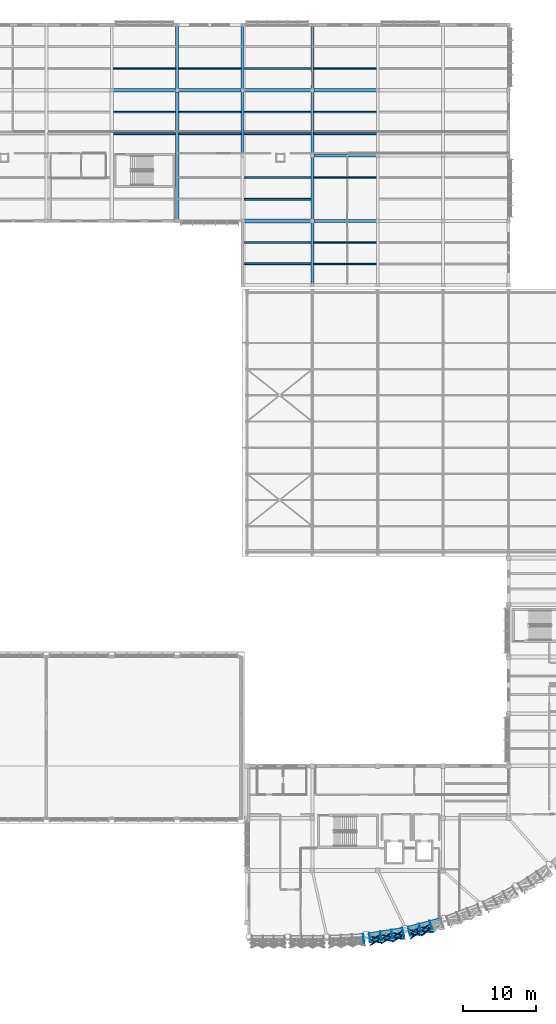
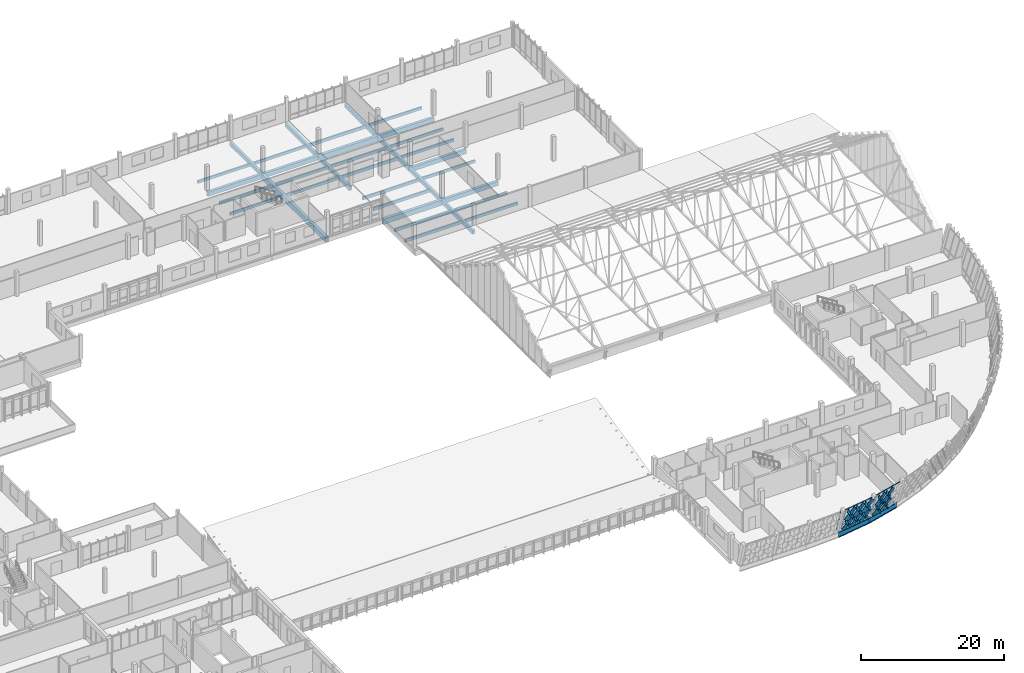
# One storey, part 88 of 182: 36 beams, 34 members, 3 elements without a shape of their own.
"""IFC4 building model written with IfcOpenShell, lengths in metres."""

import ifcopenshell
import ifcopenshell.guid

model = None  # the IFC model being written
_history = None  # IfcOwnerHistory: only IFC2X3 demands one
_inside = {}  # id of a spatial element -> (the spatial element, [elements in it])
_under = {}  # id of a project, library or spatial element -> (it, [spatial elements below it])
_declared = {}  # id of a project -> (the project, [libraries it declares])
_typed = {}  # id of a type object -> (the type object, [elements of that type])
_made_of = {}  # id of a material, layer set ... -> (it, [elements and type objects made of it])


def new_model(schema):
    """Start an empty IFC model of exactly this schema.

    Asked for "IFC4X3", IfcOpenShell would pick the latest addendum, in which some entities
    have other attributes; the version numbers below select the first issue.
    IFC2X3 requires an IfcOwnerHistory on every rooted entity: one is made here for all.
    """
    global model, _history
    if schema == "IFC4X3":
        model = ifcopenshell.file(schema_version=(4, 3, 0, 0))
    else:
        model = ifcopenshell.file(schema=schema)
    _inside.clear()
    _under.clear()
    _declared.clear()
    _typed.clear()
    _made_of.clear()
    _history = None
    if model.schema == "IFC2X3":
        org = make("IfcOrganization", Name="unknown")
        user = make(
            "IfcPersonAndOrganization",
            ThePerson=make("IfcPerson", FamilyName="unknown"),
            TheOrganization=org,
        )
        app = make(
            "IfcApplication",
            ApplicationDeveloper=org,
            Version="unknown",
            ApplicationFullName="unknown",
            ApplicationIdentifier="unknown",
        )
        _history = make(
            "IfcOwnerHistory",
            OwningUser=user,
            OwningApplication=app,
            ChangeAction="ADDED",
            CreationDate=0,
        )
    return model


def make(cls, **values):
    """One entity of the class cls with the attributes given. An attribute that is None is left unset."""
    return model.create_entity(
        cls, **{name: value for name, value in values.items() if value is not None}
    )


def rooted(cls, **values):
    """An entity with a GlobalId (a new one), such as an element, a storey or a relation."""
    return make(cls, GlobalId=ifcopenshell.guid.new(), OwnerHistory=_history, **values)


def si_unit(unit_type, name, prefix=None):
    """IfcSIUnit, for example si_unit("LENGTHUNIT", "METRE", prefix="MILLI")."""
    return make("IfcSIUnit", UnitType=unit_type, Prefix=prefix, Name=name)


def assignment(units):
    """IfcUnitAssignment: the units of a project."""
    return None if units is None else make("IfcUnitAssignment", Units=units)


def point(xyz):
    """IfcCartesianPoint."""
    return None if xyz is None else make("IfcCartesianPoint", Coordinates=xyz)


def direction(xyz):
    """IfcDirection."""
    return None if xyz is None else make("IfcDirection", DirectionRatios=xyz)


def frame(location, z_axis=None, x_axis=None):
    """IfcAxis2Placement3D, a coordinate frame: its origin and axes. An axis left out is left unset."""
    return make(
        "IfcAxis2Placement3D",
        Location=point(location),
        Axis=direction(z_axis),
        RefDirection=direction(x_axis),
    )


def frame_2d(location, x_axis=None):
    """IfcAxis2Placement2D, a coordinate frame in the plane: its origin and x axis."""
    return make(
        "IfcAxis2Placement2D", Location=point(location), RefDirection=direction(x_axis)
    )


def origin():
    """The frame at (0, 0, 0) with its axes left unset."""
    return frame((0.0, 0.0, 0.0))


def origin_2d():
    """The frame at (0, 0) in the plane with its x axis left unset."""
    return frame_2d((0.0, 0.0))


def place(relative_to, where):
    """IfcLocalPlacement: puts the frame where relative to a parent placement (None: the world)."""
    return make(
        "IfcLocalPlacement", PlacementRelTo=relative_to, RelativePlacement=where
    )


def context(
    kind, dimensions, precision=None, world=None, true_north=None, identifier=None
):
    """IfcGeometricRepresentationContext, for example the 3D "Model" context."""
    return make(
        "IfcGeometricRepresentationContext",
        ContextIdentifier=identifier,
        ContextType=kind,
        CoordinateSpaceDimension=dimensions,
        Precision=precision,
        WorldCoordinateSystem=world,
        TrueNorth=true_north,
    )


def subcontext(parent, identifier, kind, view, scale=None):
    """IfcGeometricRepresentationSubContext, for example "Body" below "Model"."""
    return make(
        "IfcGeometricRepresentationSubContext",
        ContextIdentifier=identifier,
        ContextType=kind,
        ParentContext=parent,
        TargetScale=scale,
        TargetView=view,
    )


def project(units=None, contexts=None):
    """IfcProject with its units and contexts."""
    return rooted(
        "IfcProject",
        Name="project",
        RepresentationContexts=contexts,
        UnitsInContext=assignment(units),
    )


def spatial(cls, under=None, at=None, **own):
    """A site, building, storey or space (cls), placed at a placement, below another one or the project."""
    s = rooted(cls, ObjectPlacement=at, **own)
    if under is not None:
        _under.setdefault(under.id(), (under, []))[1].append(s)
    return s


def profile(cls, at=None, kind="AREA", **sizes):
    """A parametric profile (cls). Its sizes go by their IFC names, for example OverallWidth=200.0."""
    return make(cls, ProfileType=kind, Position=at, **sizes)


def rectangle(**sizes):
    """IfcRectangleProfileDef."""
    return profile("IfcRectangleProfileDef", **sizes)


def hollow_rectangle(**sizes):
    """IfcRectangleHollowProfileDef."""
    return profile("IfcRectangleHollowProfileDef", **sizes)


def i_section(**sizes):
    """IfcIShapeProfileDef."""
    return profile("IfcIShapeProfileDef", **sizes)


def extrude(swept, where, along, depth):
    """IfcExtrudedAreaSolid: the profile swept, set in the frame where, extruded along a direction by depth."""
    return make(
        "IfcExtrudedAreaSolid",
        SweptArea=swept,
        Position=where,
        ExtrudedDirection=direction(along),
        Depth=depth,
    )


def shape(context_of_items, identifier, shape_type, items):
    """IfcShapeRepresentation: the items that make up one representation, for example the "Body"."""
    return make(
        "IfcShapeRepresentation",
        ContextOfItems=context_of_items,
        RepresentationIdentifier=identifier,
        RepresentationType=shape_type,
        Items=items,
    )


def material(Name=None, Category=None):
    """IfcMaterial."""
    return make("IfcMaterial", Name=Name, Category=Category)


def material_profile(
    of_material, cross_section, Name=None, Category=None, Priority=None
):
    """IfcMaterialProfile: a cross section and its material."""
    return make(
        "IfcMaterialProfile",
        Name=Name,
        Material=of_material,
        Profile=cross_section,
        Priority=Priority,
        Category=Category,
    )


def profile_set(profiles, Name=None, composite=None):
    """IfcMaterialProfileSet."""
    return make(
        "IfcMaterialProfileSet",
        Name=Name,
        MaterialProfiles=profiles,
        CompositeProfile=composite,
    )


def made_of(thing, what):
    """Note that an element or type object is made of a material, layer set ...; save() writes the relation."""
    if what is not None:
        _made_of.setdefault(what.id(), (what, []))[1].append(thing)
    return thing


def type_object(cls, material=None, **own):
    """A type object (cls), such as IfcWallType, which elements share."""
    return made_of(rooted(cls, **own), material)


def element(
    cls,
    number,
    at=None,
    inside=None,
    cuts=None,
    type_object=None,
    material=None,
    context=None,
    identifier="Body",
    shape_type=None,
    held_by="IfcProductDefinitionShape",
    body=None,
    shapes=None,
    **own,
):
    """One element of the class cls, such as IfcWall. Its Tag is "e" and its number.

    at: its placement. inside: the storey or other place that contains it. cuts: it is an
    opening in that element (IfcRelVoidsElement). A single representation is given by context,
    identifier, shape_type and body (its items); several are given by shapes. held_by: the class
    of the entity that holds the representations. save() writes the other relations.
    """
    e = rooted(cls, Tag="e%d" % number, ObjectPlacement=at, **own)
    if body is not None:
        shapes = [shape(context, identifier, shape_type, body)]
    if shapes is not None:
        e.Representation = make(held_by, Representations=shapes)
    if inside is not None:
        _inside.setdefault(inside.id(), (inside, []))[1].append(e)
    if cuts is not None:
        rooted(
            "IfcRelVoidsElement", RelatingBuildingElement=cuts, RelatedOpeningElement=e
        )
    if type_object is not None:
        _typed.setdefault(type_object.id(), (type_object, []))[1].append(e)
    return made_of(e, material)


def aggregate(whole, parts):
    """IfcRelAggregates: a whole, such as a stair, and the parts it consists of."""
    return rooted("IfcRelAggregates", RelatingObject=whole, RelatedObjects=parts)


def save(model, path):
    """Write the relations noted so far, then the file.

    IfcRelAggregates (storeys below a building ...), IfcRelContainedInSpatialStructure (elements
    in a storey), IfcRelDefinesByType, IfcRelAssociatesMaterial and IfcRelDeclares: one each for
    every whole, place, type object, material and project.
    """
    for whole, parts in _under.values():
        aggregate(whole, parts)
    for where, things in _inside.values():
        rooted(
            "IfcRelContainedInSpatialStructure",
            RelatedElements=things,
            RelatingStructure=where,
        )
    for kind, things in _typed.values():
        rooted("IfcRelDefinesByType", RelatedObjects=things, RelatingType=kind)
    for what, things in _made_of.values():
        rooted("IfcRelAssociatesMaterial", RelatedObjects=things, RelatingMaterial=what)
    for by, libraries in _declared.values():
        rooted("IfcRelDeclares", RelatingContext=by, RelatedDefinitions=libraries)
    model.write(path)


model = new_model("IFC4")

# Units and contexts
model_context = context("Model", 3, precision=1e-05, world=origin(), true_north=direction((0.0, 1.0)))
body_context = subcontext(model_context, "Body", "Model", "MODEL_VIEW")
ifc_project = project(units=[si_unit("LENGTHUNIT", "METRE"), si_unit("AREAUNIT", "SQUARE_METRE"), si_unit("VOLUMEUNIT", "CUBIC_METRE"), si_unit("PLANEANGLEUNIT", "RADIAN"), si_unit("MASSUNIT", "GRAM", prefix="KILO")], contexts=[model_context])

# Site, building, storey
site_placement = place(None, origin())
site = spatial("IfcSite", under=ifc_project, at=site_placement, CompositionType="ELEMENT")
building_placement = place(site_placement, origin())
building = spatial("IfcBuilding", under=site, at=building_placement, Name="Chiffa Square Polytechnic", CompositionType="ELEMENT")
storey_placement = place(building_placement, frame((0.0, 0.0, 9.60009765625)))
storey = spatial("IfcBuildingStorey", under=building, at=storey_placement, Name="L02", CompositionType="ELEMENT", Elevation=9.60009765625)

# Beams
ifc_material_1 = material(Name="Concrete C35/45", Category="concrete")
ifc_material_profile_1 = material_profile(ifc_material_1, rectangle(XDim=0.39990234375, YDim=0.64990234375, at=origin_2d()), Name="RC 400x650")
ifc_profile_set_1 = profile_set([ifc_material_profile_1], Name="Concrete C35/45")
beam_type_1 = type_object("IfcBeamType", Name="BM-RC-400X650", PredefinedType="BEAM", material=ifc_profile_set_1)
for number, where, z_axis, x_axis, name in (
    (1, (102.60009765625, 121.800048828125, -0.64501953125), (0.0, 1.0, 0.0), (-1.0, 0.0, 0.0), "Primary floor girder BM-V5-L02-Y-1026-1218"),
    (2, (111.60009765625, 112.800048828125, -0.64501953125), (0.0, 1.0, 0.0), (-1.0, 0.0, 0.0), "Primary floor girder BM-V5-L02-Y-1116-1128"),
    (3, (111.60009765625, 121.800048828125, -0.64501953125), (0.0, 1.0, 0.0), (-1.0, 0.0, 0.0), "Primary floor girder BM-V5-L02-Y-1116-1218"),
):
    element("IfcBeam", number, at=place(storey_placement, frame(where, z_axis=z_axis, x_axis=x_axis)), inside=storey, type_object=beam_type_1, Name=name, PredefinedType="BEAM", context=body_context, shape_type="SweptSolid", body=[
        extrude(rectangle(XDim=0.39990234375, YDim=0.64990234375, at=origin_2d()), origin(), (0.0, 0.0, 1.0), 9.0),
    ])
beam_1_placement = place(storey_placement, frame((121.199951171875, 94.949951171875, -0.64501953125), z_axis=(0.0, 1.0, 0.0), x_axis=(-1.0, 0.0, 0.0)))
element("IfcBeam", 4, at=beam_1_placement, inside=storey, type_object=beam_type_1, Name="Primary floor girder BM-V5-L02-Y-1212-0950", PredefinedType="BEAM", context=body_context, shape_type="SweptSolid", body=[
    extrude(rectangle(XDim=0.39990234375, YDim=0.64990234375, at=origin_2d()), origin(), (0.0, 0.0, 1.0), 8.85009765625),
])
for number, where, z_axis, x_axis, name in (
    (5, (121.199951171875, 103.800048828125, -0.64501953125), (0.0, 1.0, 0.0), (-1.0, 0.0, 0.0), "Primary floor girder BM-V5-L02-Y-1212-1038"),
    (6, (121.199951171875, 112.800048828125, -0.64501953125), (0.0, 1.0, 0.0), (-1.0, 0.0, 0.0), "Primary floor girder BM-V5-L02-Y-1212-1128"),
    (7, (121.199951171875, 121.800048828125, -0.64501953125), (0.0, 1.0, 0.0), (-1.0, 0.0, 0.0), "Primary floor girder BM-V5-L02-Y-1212-1218"),
):
    element("IfcBeam", number, at=place(storey_placement, frame(where, z_axis=z_axis, x_axis=x_axis)), inside=storey, type_object=beam_type_1, Name=name, PredefinedType="BEAM", context=body_context, shape_type="SweptSolid", body=[
        extrude(rectangle(XDim=0.39990234375, YDim=0.64990234375, at=origin_2d()), origin(), (0.0, 0.0, 1.0), 9.0),
    ])
ifc_material_profile_2 = material_profile(ifc_material_1, rectangle(XDim=0.449951171875, YDim=0.75, at=origin_2d()), Name="RC 450x750")
ifc_profile_set_2 = profile_set([ifc_material_profile_2], Name="Concrete C35/45")
beam_type_2 = type_object("IfcBeamType", Name="BM-RC-450X750", PredefinedType="BEAM", material=ifc_profile_set_2)
for number, where, z_axis, x_axis, name in (
    (8, (121.199951171875, 103.800048828125, -0.695068359375), (1.0, 0.0, 0.0), (0.0, 1.0, 0.0), "Primary floor girder BM-V5-L02-X-1212-1038"),
    (9, (121.199951171875, 112.800048828125, -0.695068359375), (1.0, 0.0, 0.0), (0.0, 1.0, 0.0), "Primary floor girder BM-V5-L02-X-1212-1128"),
    (10, (93.60009765625, 121.800048828125, -0.695068359375), (1.0, 0.0, 0.0), (0.0, 1.0, 0.0), "Primary floor girder BM-V5-L02-X-0936-1218"),
    (11, (102.60009765625, 121.800048828125, -0.695068359375), (1.0, 0.0, 0.0), (0.0, 1.0, 0.0), "Primary floor girder BM-V5-L02-X-1026-1218"),
    (12, (121.199951171875, 121.800048828125, -0.695068359375), (1.0, 0.0, 0.0), (0.0, 1.0, 0.0), "Primary floor girder BM-V5-L02-X-1212-1218"),
):
    element("IfcBeam", number, at=place(storey_placement, frame(where, z_axis=z_axis, x_axis=x_axis)), inside=storey, type_object=beam_type_2, Name=name, PredefinedType="BEAM", context=body_context, shape_type="SweptSolid", body=[
        extrude(rectangle(XDim=0.449951171875, YDim=0.75, at=origin_2d()), origin(), (0.0, 0.0, 1.0), 9.0),
    ])
ifc_material_2 = material(Name="Concrete C40/50", Category="concrete")
ifc_material_profile_3 = material_profile(ifc_material_2, rectangle(XDim=0.5, YDim=0.89990234375, at=origin_2d()), Name="RC 500x900")
ifc_profile_set_3 = profile_set([ifc_material_profile_3], Name="Concrete C40/50")
beam_type_3 = type_object("IfcBeamType", Name="BM-RC-500X900", PredefinedType="BEAM", material=ifc_profile_set_3)
for number, where, z_axis, x_axis, name in (
    (13, (111.60009765625, 103.800048828125, -0.77001953125), (1.0, 0.0, 0.0), (0.0, 1.0, 0.0), "Primary floor girder BM-V5-L02-X-1116-1038"),
    (14, (111.60009765625, 121.800048828125, -0.77001953125), (1.0, 0.0, 0.0), (0.0, 1.0, 0.0), "Primary floor girder BM-V5-L02-X-1116-1218"),
):
    element("IfcBeam", number, at=place(storey_placement, frame(where, z_axis=z_axis, x_axis=x_axis)), inside=storey, type_object=beam_type_3, Name=name, PredefinedType="BEAM", context=body_context, shape_type="SweptSolid", body=[
        extrude(rectangle(XDim=0.5, YDim=0.89990234375, at=origin_2d()), origin(), (0.0, 0.0, 1.0), 9.599853515625),
    ])
beam_2_placement = place(storey_placement, frame((102.60009765625, 103.800048828125, -0.77001953125), z_axis=(0.0, 1.0, 0.0), x_axis=(-1.0, 0.0, 0.0)))
element("IfcBeam", 15, at=beam_2_placement, inside=storey, type_object=beam_type_3, Name="Primary floor girder BM-V5-L02-Y-1026-1038", PredefinedType="BEAM", context=body_context, shape_type="SweptSolid", body=[
    extrude(rectangle(XDim=0.5, YDim=0.89990234375, at=origin_2d()), origin(), (0.0, 0.0, 1.0), 18.0),
])

# Curtain wall, member
ifc_material_3 = material(Name="Aluminium EN AW-6060 T66 and glulam shading", Category="wood")
curtain_wall_type_1 = type_object("IfcCurtainWallType", Name="CW-PROW-LEAN-150", PredefinedType="USERDEFINED", material=ifc_material_3)
curtain_wall_1_placement = place(storey_placement, origin())
curtain_wall_1 = element("IfcCurtainWall", 16, at=curtain_wall_1_placement, inside=storey, type_object=curtain_wall_type_1, Name="Outward-leaning diamond-fin prow curtain wall CW-V1-L02-029", ObjectType="CURTAIN WALL", PredefinedType="USERDEFINED")
ifc_material_4 = material(Name="Aluminium EN AW-6060 T66", Category="aluminium")
ifc_material_profile_4 = material_profile(ifc_material_4, hollow_rectangle(XDim=0.06494140625, YDim=0.179931640625, WallThickness=0.00390625, at=origin_2d()), Name="ALU 65x180x4")
ifc_profile_set_4 = profile_set([ifc_material_profile_4], Name="Aluminium EN AW-6060 T66")
member_type_1 = type_object("IfcMemberType", Name="CWM-ALU-75X180", PredefinedType="MULLION", material=ifc_profile_set_4)
member_1_placement = place(storey_placement, frame((128.2060546875, 5.612060546875, 0.0), z_axis=(0.028559333879, -0.270866500653, 0.962193173574), x_axis=(0.994487446004, 0.104855709143, 0.0)))
member_1 = element("IfcMember", 17, at=member_1_placement, type_object=member_type_1, Name="Leaning prow mullion CW-V1-L02-029-M03", PredefinedType="MULLION", context=body_context, shape_type="SweptSolid", body=[
    extrude(hollow_rectangle(XDim=0.06494140625, YDim=0.179931640625, WallThickness=0.00390625, at=origin_2d()), origin(), (0.0, 0.0, 1.0), 4.0947265625),
])
aggregate(curtain_wall_1, [member_1])

# Curtain wall, members
curtain_wall_type_2 = type_object("IfcCurtainWallType", Name="CW-PROW-LEAN-300", PredefinedType="USERDEFINED", material=ifc_material_3)
curtain_wall_2_placement = place(storey_placement, origin())
curtain_wall_2 = element("IfcCurtainWall", 18, at=curtain_wall_2_placement, inside=storey, type_object=curtain_wall_type_2, Name="Outward-leaning diamond-fin prow curtain wall CW-V1-L02-030", ObjectType="CURTAIN WALL", PredefinedType="USERDEFINED")
member_2_placement = place(storey_placement, frame((129.06005859375, 5.701904296875, 0.0), z_axis=(0.028559795068, -0.270811250936, 0.962208711493), x_axis=(0.994485038414, 0.104878541039, 0.0)))
member_2 = element("IfcMember", 19, at=member_2_placement, type_object=member_type_1, Name="Leaning prow mullion CW-V1-L02-030-M00", PredefinedType="MULLION", context=body_context, shape_type="SweptSolid", body=[
    extrude(hollow_rectangle(XDim=0.06494140625, YDim=0.179931640625, WallThickness=0.00390625, at=origin_2d()), origin(), (0.0, 0.0, 1.0), 4.0947265625),
])
member_3_placement = place(storey_placement, frame((130.568603515625, 5.94091796875, 0.0), z_axis=(0.037984349648, -0.269289361082, 0.962309944451), x_axis=(0.990197908727, 0.139671405638, 0.0)))
member_3 = element("IfcMember", 20, at=member_3_placement, type_object=member_type_1, Name="Leaning prow mullion CW-V1-L02-030-M01", PredefinedType="MULLION", context=body_context, shape_type="SweptSolid", body=[
    extrude(hollow_rectangle(XDim=0.06494140625, YDim=0.179931640625, WallThickness=0.00390625, at=origin_2d()), origin(), (0.0, 0.0, 1.0), 4.09423828125),
])
member_4_placement = place(storey_placement, frame((132.077392578125, 6.179931640625, 0.0), z_axis=(0.04728757054, -0.267744251858, 0.962328894541), x_axis=(0.984759261779, 0.173922960933, 0.0)))
member_4 = element("IfcMember", 21, at=member_4_placement, type_object=member_type_1, Name="Leaning prow mullion CW-V1-L02-030-M02", PredefinedType="MULLION", context=body_context, shape_type="SweptSolid", body=[
    extrude(hollow_rectangle(XDim=0.06494140625, YDim=0.179931640625, WallThickness=0.00390625, at=origin_2d()), origin(), (0.0, 0.0, 1.0), 4.09423828125),
])
member_5_placement = place(storey_placement, frame((133.5859375, 6.4189453125, 0.0), z_axis=(0.056704996293, -0.26617361036, 0.962255762541), x_axis=(0.978051809486, 0.208361843822, 0.0)))
member_5 = element("IfcMember", 22, at=member_5_placement, type_object=member_type_1, Name="Leaning prow mullion CW-V1-L02-030-M03", PredefinedType="MULLION", context=body_context, shape_type="SweptSolid", body=[
    extrude(hollow_rectangle(XDim=0.06494140625, YDim=0.179931640625, WallThickness=0.00390625, at=origin_2d()), origin(), (0.0, 0.0, 1.0), 4.094482421875),
])

curtain_wall_3_placement = place(storey_placement, origin())
curtain_wall_3 = element("IfcCurtainWall", 23, at=curtain_wall_3_placement, inside=storey, type_object=curtain_wall_type_1, Name="Outward-leaning diamond-fin prow curtain wall CW-V1-L02-031", ObjectType="CURTAIN WALL", PredefinedType="USERDEFINED")
member_6_placement = place(storey_placement, frame((134.426025390625, 6.596923828125, 0.0), z_axis=(0.056645561014, -0.266174509859, 0.962259014361), x_axis=(0.978096438682, 0.208152243895, 0.0)))
member_6 = element("IfcMember", 24, at=member_6_placement, type_object=member_type_1, Name="Leaning prow mullion CW-V1-L02-031-M00", PredefinedType="MULLION", context=body_context, shape_type="SweptSolid", body=[
    extrude(hollow_rectangle(XDim=0.06494140625, YDim=0.179931640625, WallThickness=0.00390625, at=origin_2d()), origin(), (0.0, 0.0, 1.0), 4.094482421875),
])
member_7_placement = place(storey_placement, frame((135.902099609375, 6.99267578125, 0.0), z_axis=(0.065773319808, -0.263808854787, 0.962329859527), x_axis=(0.970297120672, 0.241916302916, 0.0)))
member_7 = element("IfcMember", 25, at=member_7_placement, type_object=member_type_1, Name="Leaning prow mullion CW-V1-L02-031-M01", PredefinedType="MULLION", context=body_context, shape_type="SweptSolid", body=[
    extrude(hollow_rectangle(XDim=0.06494140625, YDim=0.179931640625, WallThickness=0.00390625, at=origin_2d()), origin(), (0.0, 0.0, 1.0), 4.09423828125),
])
member_8_placement = place(storey_placement, frame((137.3779296875, 7.38818359375, 0.0), z_axis=(0.07495739397, -0.261307319312, 0.962340830456), x_axis=(0.961233692745, 0.275734995842, 0.0)))
member_8 = element("IfcMember", 26, at=member_8_placement, type_object=member_type_1, Name="Leaning prow mullion CW-V1-L02-031-M02", PredefinedType="MULLION", context=body_context, shape_type="SweptSolid", body=[
    extrude(hollow_rectangle(XDim=0.06494140625, YDim=0.179931640625, WallThickness=0.00390625, at=origin_2d()), origin(), (0.0, 0.0, 1.0), 4.09423828125),
])

# Member
ifc_material_5 = material(Name="Glulam GL28h", Category="wood")
ifc_material_profile_5 = material_profile(ifc_material_5, rectangle(XDim=0.080078125, YDim=0.580078125, at=origin_2d()), Name="GL28h 80x580")
ifc_profile_set_5 = profile_set([ifc_material_profile_5], Name="Glulam GL28h")
member_type_2 = type_object("IfcMemberType", Name="CWM-GL-80X580", PredefinedType="MULLION", material=ifc_profile_set_5)
member_9_placement = place(storey_placement, frame((129.202880859375, 5.333984375, 0.039794921875), z_axis=(0.586639104306, -0.135626840606, 0.79841087255), x_axis=(0.100789093671, 0.990439080097, 0.094191226845)))
member_9 = element("IfcMember", 27, at=member_9_placement, type_object=member_type_2, Name="Diamond glulam fin CW-V1-L02-030-DF01A", PredefinedType="MULLION", context=body_context, shape_type="SweptSolid", body=[
    extrude(rectangle(XDim=0.080078125, YDim=0.580078125, at=origin_2d()), origin(), (0.0, 0.0, 1.0), 2.41748046875),
])

member_10_placement = place(storey_placement, frame((130.5458984375, 5.5458984375, 0.039794921875), z_axis=(-0.526855543319, -0.309926802606, 0.791434528878), x_axis=(0.607505001374, -0.788539322081, 0.095621184046)))
member_10 = element("IfcMember", 28, at=member_10_placement, type_object=member_type_2, Name="Diamond glulam fin CW-V1-L02-030-DF01B", PredefinedType="MULLION", context=body_context, shape_type="SweptSolid", body=[
    extrude(rectangle(XDim=0.080078125, YDim=0.580078125, at=origin_2d()), origin(), (0.0, 0.0, 1.0), 2.438720703125),
])

member_11_placement = place(storey_placement, frame((129.260986328125, 4.7900390625, 1.969970703125), z_axis=(0.591356354109, -0.133502872049, 0.795282745701), x_axis=(0.096148274565, 0.99083879804, 0.09483662582)))
member_11 = element("IfcMember", 29, at=member_11_placement, type_object=member_type_2, Name="Diamond glulam fin CW-V1-L02-030-DF02A", PredefinedType="MULLION", context=body_context, shape_type="SweptSolid", body=[
    extrude(rectangle(XDim=0.080078125, YDim=0.580078125, at=origin_2d()), origin(), (0.0, 0.0, 1.0), 2.4267578125),
])

member_12_placement = place(storey_placement, frame((130.62109375, 5.006103515625, 1.969970703125), z_axis=(-0.531432226229, -0.310043683871, 0.78832271502), x_axis=(0.6042356214, -0.790971302957, 0.096248177805)))
member_12 = element("IfcMember", 30, at=member_12_placement, type_object=member_type_2, Name="Diamond glulam fin CW-V1-L02-030-DF02B", PredefinedType="MULLION", context=body_context, shape_type="SweptSolid", body=[
    extrude(rectangle(XDim=0.080078125, YDim=0.580078125, at=origin_2d()), origin(), (0.0, 0.0, 1.0), 2.4482421875),
])

member_13_placement = place(storey_placement, frame((130.7119140625, 5.572998046875, 0.039794921875), z_axis=(0.591800252407, -0.133823672435, 0.794898538146), x_axis=(0.096558277804, 0.990791381747, 0.094915419422)))
member_13 = element("IfcMember", 31, at=member_13_placement, type_object=member_type_2, Name="Diamond glulam fin CW-V1-L02-030-DF03A", PredefinedType="MULLION", context=body_context, shape_type="SweptSolid", body=[
    extrude(rectangle(XDim=0.080078125, YDim=0.580078125, at=origin_2d()), origin(), (0.0, 0.0, 1.0), 2.42822265625),
])

member_14_placement = place(storey_placement, frame((132.054931640625, 5.784912109375, 0.039794921875), z_axis=(-0.521440188401, -0.309746534287, 0.795083149373), x_axis=(0.611358071835, -0.785645947174, 0.094877572118)))
member_14 = element("IfcMember", 32, at=member_14_placement, type_object=member_type_2, Name="Diamond glulam fin CW-V1-L02-030-DF03B", PredefinedType="MULLION", context=body_context, shape_type="SweptSolid", body=[
    extrude(rectangle(XDim=0.080078125, YDim=0.580078125, at=origin_2d()), origin(), (0.0, 0.0, 1.0), 2.427734375),
])

member_15_placement = place(storey_placement, frame((130.7890625, 5.032958984375, 1.969970703125), z_axis=(0.596422750582, -0.132104384218, 0.791724910722), x_axis=(0.092668578211, 0.991100587197, 0.095562339186)))
member_15 = element("IfcMember", 33, at=member_15_placement, type_object=member_type_2, Name="Diamond glulam fin CW-V1-L02-030-DF04A", PredefinedType="MULLION", context=body_context, shape_type="SweptSolid", body=[
    extrude(rectangle(XDim=0.080078125, YDim=0.580078125, at=origin_2d()), origin(), (0.0, 0.0, 1.0), 2.437744140625),
])

member_16_placement = place(storey_placement, frame((132.14892578125, 5.248046875, 1.969970703125), z_axis=(-0.526367381188, -0.309810525217, 0.791804785592), x_axis=(0.60774506199, -0.788363415086, 0.095546142681)))
member_16 = element("IfcMember", 34, at=member_16_placement, type_object=member_type_2, Name="Diamond glulam fin CW-V1-L02-030-DF04B", PredefinedType="MULLION", context=body_context, shape_type="SweptSolid", body=[
    extrude(rectangle(XDim=0.080078125, YDim=0.580078125, at=origin_2d()), origin(), (0.0, 0.0, 1.0), 2.4375),
])

member_17_placement = place(storey_placement, frame((132.220947265625, 5.81201171875, 0.039794921875), z_axis=(0.596955746907, -0.13202290915, 0.791336709431), x_axis=(0.092412065936, 0.991116950906, 0.095640993803)))
member_17 = element("IfcMember", 35, at=member_17_placement, type_object=member_type_2, Name="Diamond glulam fin CW-V1-L02-030-DF05A", PredefinedType="MULLION", context=body_context, shape_type="SweptSolid", body=[
    extrude(rectangle(XDim=0.080078125, YDim=0.580078125, at=origin_2d()), origin(), (0.0, 0.0, 1.0), 2.439208984375),
])

member_18_placement = place(storey_placement, frame((133.56396484375, 6.02392578125, 0.039794921875), z_axis=(-0.515961901763, -0.309900374826, 0.798589427435), x_axis=(0.615645759399, -0.782377971246, 0.094154176983)))
member_18 = element("IfcMember", 36, at=member_18_placement, type_object=member_type_2, Name="Diamond glulam fin CW-V1-L02-030-DF05B", PredefinedType="MULLION", context=body_context, shape_type="SweptSolid", body=[
    extrude(rectangle(XDim=0.080078125, YDim=0.580078125, at=origin_2d()), origin(), (0.0, 0.0, 1.0), 2.4169921875),
])

member_19_placement = place(storey_placement, frame((132.31689453125, 5.27490234375, 1.969970703125), z_axis=(0.601331930733, -0.130238723306, 0.788313252478), x_axis=(0.088544924368, 0.991410974089, 0.096250074412)))
member_19 = element("IfcMember", 37, at=member_19_placement, type_object=member_type_2, Name="Diamond glulam fin CW-V1-L02-030-DF06A", PredefinedType="MULLION", context=body_context, shape_type="SweptSolid", body=[
    extrude(rectangle(XDim=0.080078125, YDim=0.580078125, at=origin_2d()), origin(), (0.0, 0.0, 1.0), 2.4482421875),
])

member_20_placement = place(storey_placement, frame((133.677001953125, 5.489990234375, 1.969970703125), z_axis=(-0.520895720989, -0.309901259541, 0.795379693725), x_axis=(0.611930657838, -0.785207398225, 0.094816727274)))
member_20 = element("IfcMember", 38, at=member_20_placement, type_object=member_type_2, Name="Diamond glulam fin CW-V1-L02-030-DF06B", PredefinedType="MULLION", context=body_context, shape_type="SweptSolid", body=[
    extrude(rectangle(XDim=0.080078125, YDim=0.580078125, at=origin_2d()), origin(), (0.0, 0.0, 1.0), 2.426513671875),
])

member_21_placement = place(storey_placement, frame((134.60693359375, 6.2451171875, 0.039794921875), z_axis=(0.597711036413, -0.073211775874, 0.798361793189), x_axis=(-0.087662814251, 0.983882310532, 0.155855157183)))
member_21 = element("IfcMember", 39, at=member_21_placement, type_object=member_type_2, Name="Diamond glulam fin CW-V1-L02-031-DF01A", PredefinedType="MULLION", context=body_context, shape_type="SweptSolid", body=[
    extrude(rectangle(XDim=0.080078125, YDim=0.580078125, at=origin_2d()), origin(), (0.0, 0.0, 1.0), 2.417724609375),
])

member_22_placement = place(storey_placement, frame((135.9208984375, 6.597900390625, 0.039794921875), z_axis=(-0.491914115119, -0.36320576272, 0.791266122916), x_axis=(0.738498740244, -0.655418338961, 0.158260581357)))
member_22 = element("IfcMember", 40, at=member_22_placement, type_object=member_type_2, Name="Diamond glulam fin CW-V1-L02-031-DF01B", PredefinedType="MULLION", context=body_context, shape_type="SweptSolid", body=[
    extrude(rectangle(XDim=0.080078125, YDim=0.580078125, at=origin_2d()), origin(), (0.0, 0.0, 1.0), 2.439453125),
])

member_23_placement = place(storey_placement, frame((134.720947265625, 5.7119140625, 1.969970703125), z_axis=(0.602027473128, -0.071229186326, 0.795291974444), x_axis=(-0.090918551773, 0.983420189834, 0.156902986491)))
member_23 = element("IfcMember", 41, at=member_23_placement, type_object=member_type_2, Name="Diamond glulam fin CW-V1-L02-031-DF02A", PredefinedType="MULLION", context=body_context, shape_type="SweptSolid", body=[
    extrude(rectangle(XDim=0.080078125, YDim=0.580078125, at=origin_2d()), origin(), (0.0, 0.0, 1.0), 2.4267578125),
])

member_24_placement = place(storey_placement, frame((136.052001953125, 6.068115234375, 1.969970703125), z_axis=(-0.49663040519, -0.363524283743, 0.788167707896), x_axis=(0.735134920267, -0.658940375809, 0.159292906724)))
member_24 = element("IfcMember", 42, at=member_24_placement, type_object=member_type_2, Name="Diamond glulam fin CW-V1-L02-031-DF02B", PredefinedType="MULLION", context=body_context, shape_type="SweptSolid", body=[
    extrude(rectangle(XDim=0.080078125, YDim=0.580078125, at=origin_2d()), origin(), (0.0, 0.0, 1.0), 2.44873046875),
])

member_25_placement = place(storey_placement, frame((136.0830078125, 6.64111328125, 0.039794921875), z_axis=(0.602504992887, -0.070888855138, 0.794960693219), x_axis=(-0.091472197362, 0.983350903612, 0.157015405216)))
member_25 = element("IfcMember", 43, at=member_25_placement, type_object=member_type_2, Name="Diamond glulam fin CW-V1-L02-031-DF03A", PredefinedType="MULLION", context=body_context, shape_type="SweptSolid", body=[
    extrude(rectangle(XDim=0.080078125, YDim=0.580078125, at=origin_2d()), origin(), (0.0, 0.0, 1.0), 2.427978515625),
])

member_26_placement = place(storey_placement, frame((137.39697265625, 6.992919921875, 0.039794921875), z_axis=(-0.486335617883, -0.362765951896, 0.794907875746), x_axis=(0.742442716973, -0.651244462107, 0.157033316812)))
member_26 = element("IfcMember", 44, at=member_26_placement, type_object=member_type_2, Name="Diamond glulam fin CW-V1-L02-031-DF03B", PredefinedType="MULLION", context=body_context, shape_type="SweptSolid", body=[
    extrude(rectangle(XDim=0.080078125, YDim=0.580078125, at=origin_2d()), origin(), (0.0, 0.0, 1.0), 2.42822265625),
])

member_27_placement = place(storey_placement, frame((136.216064453125, 6.112060546875, 1.969970703125), z_axis=(0.606843926078, -0.068517868181, 0.79186220463), x_axis=(-0.095282312274, 0.982821491176, 0.15806073975)))
member_27 = element("IfcMember", 45, at=member_27_placement, type_object=member_type_2, Name="Diamond glulam fin CW-V1-L02-031-DF04A", PredefinedType="MULLION", context=body_context, shape_type="SweptSolid", body=[
    extrude(rectangle(XDim=0.080078125, YDim=0.580078125, at=origin_2d()), origin(), (0.0, 0.0, 1.0), 2.437255859375),
])

member_28_placement = place(storey_placement, frame((137.5458984375, 6.468994140625, 1.969970703125), z_axis=(-0.491037308877, -0.363119184961, 0.791850250239), x_axis=(0.739104280536, -0.654782709621, 0.158064751526)))
member_28 = element("IfcMember", 46, at=member_28_placement, type_object=member_type_2, Name="Diamond glulam fin CW-V1-L02-031-DF04B", PredefinedType="MULLION", context=body_context, shape_type="SweptSolid", body=[
    extrude(rectangle(XDim=0.080078125, YDim=0.580078125, at=origin_2d()), origin(), (0.0, 0.0, 1.0), 2.437255859375),
])

ifc_material_profile_6 = material_profile(ifc_material_4, hollow_rectangle(XDim=0.06494140625, YDim=0.139892578125, WallThickness=0.00390625, at=origin_2d()), Name="ALU 65x140x4")
ifc_profile_set_6 = profile_set([ifc_material_profile_6], Name="Aluminium EN AW-6060 T66")
member_type_3 = type_object("IfcMemberType", Name="CWT-ALU-75X140", PredefinedType="USERDEFINED", material=ifc_profile_set_6)
member_29_placement = place(storey_placement, frame((129.061279296875, 5.690673828125, 0.039794921875), z_axis=(0.987679472874, 0.156490443364, 0.0), x_axis=(-0.156490443364, 0.987679472874, 0.0)))
member_29 = element("IfcMember", 47, at=member_29_placement, type_object=member_type_3, Name="Leaning prow transom CW-V1-L02-030-T01", ObjectType="TRANSOM", PredefinedType="USERDEFINED", context=body_context, shape_type="SweptSolid", body=[
    extrude(hollow_rectangle(XDim=0.06494140625, YDim=0.139892578125, WallThickness=0.00390625, at=origin_2d()), origin(), (0.0, 0.0, 1.0), 4.58349609375),
])

member_30_placement = place(storey_placement, frame((129.085205078125, 5.462646484375, 0.849853515625), z_axis=(0.987674303986, 0.156523062982, 0.0), x_axis=(-0.156523062982, 0.987674303986, 0.0)))
member_30 = element("IfcMember", 48, at=member_30_placement, type_object=member_type_3, Name="Leaning prow transom CW-V1-L02-030-T02", ObjectType="TRANSOM", PredefinedType="USERDEFINED", context=body_context, shape_type="SweptSolid", body=[
    extrude(hollow_rectangle(XDim=0.06494140625, YDim=0.139892578125, WallThickness=0.00390625, at=origin_2d()), origin(), (0.0, 0.0, 1.0), 4.607666015625),
])

member_31_placement = place(storey_placement, frame((129.17578125, 4.604248046875, 3.89990234375), z_axis=(0.987656975762, 0.15663236648, 0.0), x_axis=(-0.15663236648, 0.987656975762, 0.0)))
member_31 = element("IfcMember", 49, at=member_31_placement, type_object=member_type_3, Name="Leaning prow transom CW-V1-L02-030-T03", ObjectType="TRANSOM", PredefinedType="USERDEFINED", context=body_context, shape_type="SweptSolid", body=[
    extrude(hollow_rectangle(XDim=0.06494140625, YDim=0.139892578125, WallThickness=0.00390625, at=origin_2d()), origin(), (0.0, 0.0, 1.0), 4.697998046875),
])

aggregate(curtain_wall_2, [member_2, member_3, member_4, member_5, member_29, member_30, member_31, member_9, member_10, member_11, member_12, member_13, member_14, member_15, member_16, member_17, member_18, member_19, member_20])

member_32_placement = place(storey_placement, frame((134.428466796875, 6.5859375, 0.039794921875), z_axis=(0.96589741885, 0.258925039847, 0.0), x_axis=(-0.258925039847, 0.96589741885, 0.0)))
member_32 = element("IfcMember", 50, at=member_32_placement, type_object=member_type_3, Name="Leaning prow transom CW-V1-L02-031-T01", ObjectType="TRANSOM", PredefinedType="USERDEFINED", context=body_context, shape_type="SweptSolid", body=[
    extrude(hollow_rectangle(XDim=0.06494140625, YDim=0.139892578125, WallThickness=0.00390625, at=origin_2d()), origin(), (0.0, 0.0, 1.0), 4.585205078125),
])

member_33_placement = place(storey_placement, frame((134.47607421875, 6.36181640625, 0.849853515625), z_axis=(0.965890349419, 0.258951410304, 0.0), x_axis=(-0.258951410304, 0.965890349419, 0.0)))
member_33 = element("IfcMember", 51, at=member_33_placement, type_object=member_type_3, Name="Leaning prow transom CW-V1-L02-031-T02", ObjectType="TRANSOM", PredefinedType="USERDEFINED", context=body_context, shape_type="SweptSolid", body=[
    extrude(hollow_rectangle(XDim=0.06494140625, YDim=0.139892578125, WallThickness=0.00390625, at=origin_2d()), origin(), (0.0, 0.0, 1.0), 4.609375),
])

member_34_placement = place(storey_placement, frame((134.655517578125, 5.51806640625, 3.89990234375), z_axis=(0.965896095257, 0.258929977343, 0.0), x_axis=(-0.258929977343, 0.965896095257, 0.0)))
member_34 = element("IfcMember", 52, at=member_34_placement, type_object=member_type_3, Name="Leaning prow transom CW-V1-L02-031-T03", ObjectType="TRANSOM", PredefinedType="USERDEFINED", context=body_context, shape_type="SweptSolid", body=[
    extrude(hollow_rectangle(XDim=0.06494140625, YDim=0.139892578125, WallThickness=0.00390625, at=origin_2d()), origin(), (0.0, 0.0, 1.0), 4.69921875),
])

aggregate(curtain_wall_3, [member_6, member_7, member_8, member_32, member_33, member_34, member_21, member_22, member_23, member_24, member_25, member_26, member_27, member_28])

# Beams
ifc_material_profile_7 = material_profile(ifc_material_5, rectangle(XDim=0.219970703125, YDim=0.47998046875, at=origin_2d()), Name="GL28h 220x480")
ifc_profile_set_7 = profile_set([ifc_material_profile_7], Name="Glulam GL28h")
beam_type_4 = type_object("IfcBeamType", Name="JST-GL-220X480", PredefinedType="JOIST", material=ifc_profile_set_7)
for number, where, z_axis, x_axis, name in (
    (53, (93.847900390625, 115.800048828125, -0.56005859375), (1.0, 0.0, 0.0), (0.0, 1.0, 0.0), "Secondary floor joist JST-V5-L02-0936-1158"),
    (54, (93.847900390625, 118.800048828125, -0.56005859375), (1.0, 0.0, 0.0), (0.0, 1.0, 0.0), "Secondary floor joist JST-V5-L02-0936-1188"),
):
    element("IfcBeam", number, at=place(storey_placement, frame(where, z_axis=z_axis, x_axis=x_axis)), inside=storey, type_object=beam_type_4, Name=name, PredefinedType="JOIST", context=body_context, shape_type="SweptSolid", body=[
        extrude(rectangle(XDim=0.219970703125, YDim=0.47998046875, at=origin_2d()), origin(), (0.0, 0.0, 1.0), 8.504150390625),
    ])
beam_3_placement = place(storey_placement, frame((93.798095703125, 124.800048828125, -0.56005859375), z_axis=(1.0, 0.0, 0.0), x_axis=(0.0, 1.0, 0.0)))
element("IfcBeam", 55, at=beam_3_placement, inside=storey, type_object=beam_type_4, Name="Secondary floor joist JST-V5-L02-0936-1248", PredefinedType="JOIST", context=body_context, shape_type="SweptSolid", body=[
    extrude(rectangle(XDim=0.219970703125, YDim=0.47998046875, at=origin_2d()), origin(), (0.0, 0.0, 1.0), 8.60400390625),
])
for number, where, z_axis, x_axis, name in (
    (56, (102.847900390625, 115.800048828125, -0.56005859375), (1.0, 0.0, 0.0), (0.0, 1.0, 0.0), "Secondary floor joist JST-V5-L02-1026-1158"),
    (57, (102.847900390625, 118.800048828125, -0.56005859375), (1.0, 0.0, 0.0), (0.0, 1.0, 0.0), "Secondary floor joist JST-V5-L02-1026-1188"),
):
    element("IfcBeam", number, at=place(storey_placement, frame(where, z_axis=z_axis, x_axis=x_axis)), inside=storey, type_object=beam_type_4, Name=name, PredefinedType="JOIST", context=body_context, shape_type="SweptSolid", body=[
        extrude(rectangle(XDim=0.219970703125, YDim=0.47998046875, at=origin_2d()), origin(), (0.0, 0.0, 1.0), 8.55419921875),
    ])
for number, where, z_axis, x_axis, name in (
    (58, (102.798095703125, 124.800048828125, -0.56005859375), (1.0, 0.0, 0.0), (0.0, 1.0, 0.0), "Secondary floor joist JST-V5-L02-1026-1248"),
    (59, (121.39794921875, 97.89990234375, -0.56005859375), (1.0, 0.0, 0.0), (0.0, 1.0, 0.0), "Secondary floor joist JST-V5-L02-1212-0979"),
    (60, (121.39794921875, 100.85009765625, -0.56005859375), (1.0, 0.0, 0.0), (0.0, 1.0, 0.0), "Secondary floor joist JST-V5-L02-1212-1008"),
    (61, (121.39794921875, 109.800048828125, -0.56005859375), (1.0, 0.0, 0.0), (0.0, 1.0, 0.0), "Secondary floor joist JST-V5-L02-1212-1098"),
    (62, (121.39794921875, 115.800048828125, -0.56005859375), (1.0, 0.0, 0.0), (0.0, 1.0, 0.0), "Secondary floor joist JST-V5-L02-1212-1158"),
    (63, (121.39794921875, 118.800048828125, -0.56005859375), (1.0, 0.0, 0.0), (0.0, 1.0, 0.0), "Secondary floor joist JST-V5-L02-1212-1188"),
    (64, (121.39794921875, 124.800048828125, -0.56005859375), (1.0, 0.0, 0.0), (0.0, 1.0, 0.0), "Secondary floor joist JST-V5-L02-1212-1248"),
):
    element("IfcBeam", number, at=place(storey_placement, frame(where, z_axis=z_axis, x_axis=x_axis)), inside=storey, type_object=beam_type_4, Name=name, PredefinedType="JOIST", context=body_context, shape_type="SweptSolid", body=[
        extrude(rectangle(XDim=0.219970703125, YDim=0.47998046875, at=origin_2d()), origin(), (0.0, 0.0, 1.0), 8.60400390625),
    ])
ifc_material_profile_8 = material_profile(ifc_material_5, rectangle(XDim=0.239990234375, YDim=0.52001953125, at=origin_2d()), Name="GL28h 240x520")
ifc_profile_set_8 = profile_set([ifc_material_profile_8], Name="Glulam GL28h")
beam_type_5 = type_object("IfcBeamType", Name="JST-GL-240X520", PredefinedType="JOIST", material=ifc_profile_set_8)
for number, where, z_axis, x_axis, name in (
    (65, (111.798095703125, 97.89990234375, -0.580078125), (1.0, 0.0, 0.0), (0.0, 1.0, 0.0), "Secondary floor joist JST-V5-L02-1116-0979"),
    (66, (111.798095703125, 100.85009765625, -0.580078125), (1.0, 0.0, 0.0), (0.0, 1.0, 0.0), "Secondary floor joist JST-V5-L02-1116-1008"),
    (67, (111.798095703125, 106.800048828125, -0.580078125), (1.0, 0.0, 0.0), (0.0, 1.0, 0.0), "Secondary floor joist JST-V5-L02-1116-1068"),
    (68, (111.798095703125, 109.800048828125, -0.580078125), (1.0, 0.0, 0.0), (0.0, 1.0, 0.0), "Secondary floor joist JST-V5-L02-1116-1098"),
    (69, (111.798095703125, 115.800048828125, -0.580078125), (1.0, 0.0, 0.0), (0.0, 1.0, 0.0), "Secondary floor joist JST-V5-L02-1116-1158"),
    (70, (111.798095703125, 118.800048828125, -0.580078125), (1.0, 0.0, 0.0), (0.0, 1.0, 0.0), "Secondary floor joist JST-V5-L02-1116-1188"),
    (71, (111.798095703125, 124.800048828125, -0.580078125), (1.0, 0.0, 0.0), (0.0, 1.0, 0.0), "Secondary floor joist JST-V5-L02-1116-1248"),
):
    element("IfcBeam", number, at=place(storey_placement, frame(where, z_axis=z_axis, x_axis=x_axis)), inside=storey, type_object=beam_type_5, Name=name, PredefinedType="JOIST", context=body_context, shape_type="SweptSolid", body=[
        extrude(rectangle(XDim=0.239990234375, YDim=0.52001953125, at=origin_2d()), origin(), (0.0, 0.0, 1.0), 9.203857421875),
    ])
ifc_material_6 = material(Name="Steel S355", Category="steel")
ifc_material_profile_9 = material_profile(ifc_material_6, i_section(OverallWidth=0.300048828125, OverallDepth=0.89990234375, WebThickness=0.0185546875, FlangeThickness=0.031982421875, FilletRadius=0.030029296875, at=origin_2d()), Name="HEB 900")
ifc_profile_set_9 = profile_set([ifc_material_profile_9], Name="Steel S355")
beam_type_6 = type_object("IfcBeamType", Name="TG-STL-HEB900", PredefinedType="USERDEFINED", material=ifc_profile_set_9)
beam_4_placement = place(storey_placement, frame((128.635009765625, 5.635009765625, -0.77001953125), z_axis=(0.987699602582, 0.156363343079, 0.0), x_axis=(-0.156363343079, 0.987699602582, 0.0)))
element("IfcBeam", 72, at=beam_4_placement, inside=storey, type_object=beam_type_6, Name="Prow perimeter transfer girder TG-V1-L02-04", ObjectType="TRANSFER GIRDER", PredefinedType="USERDEFINED", context=body_context, shape_type="SweptSolid", body=[
    extrude(i_section(OverallWidth=0.300048828125, OverallDepth=0.89990234375, WebThickness=0.0185546875, FlangeThickness=0.031982421875, FilletRadius=0.030029296875, at=origin_2d()), origin(), (0.0, 0.0, 1.0), 5.44287109375),
])
beam_5_placement = place(storey_placement, frame((134.010986328125, 6.486083984375, -0.77001953125), z_axis=(0.965923827737, 0.258826503685, 0.0), x_axis=(-0.258826503685, 0.965923827737, 0.0)))
element("IfcBeam", 73, at=beam_5_placement, inside=storey, type_object=beam_type_6, Name="Prow perimeter transfer girder TG-V1-L02-05", ObjectType="TRANSFER GIRDER", PredefinedType="USERDEFINED", context=body_context, shape_type="SweptSolid", body=[
    extrude(i_section(OverallWidth=0.300048828125, OverallDepth=0.89990234375, WebThickness=0.0185546875, FlangeThickness=0.031982421875, FilletRadius=0.030029296875, at=origin_2d()), origin(), (0.0, 0.0, 1.0), 5.443603515625),
])

save(model, "model.ifc")
